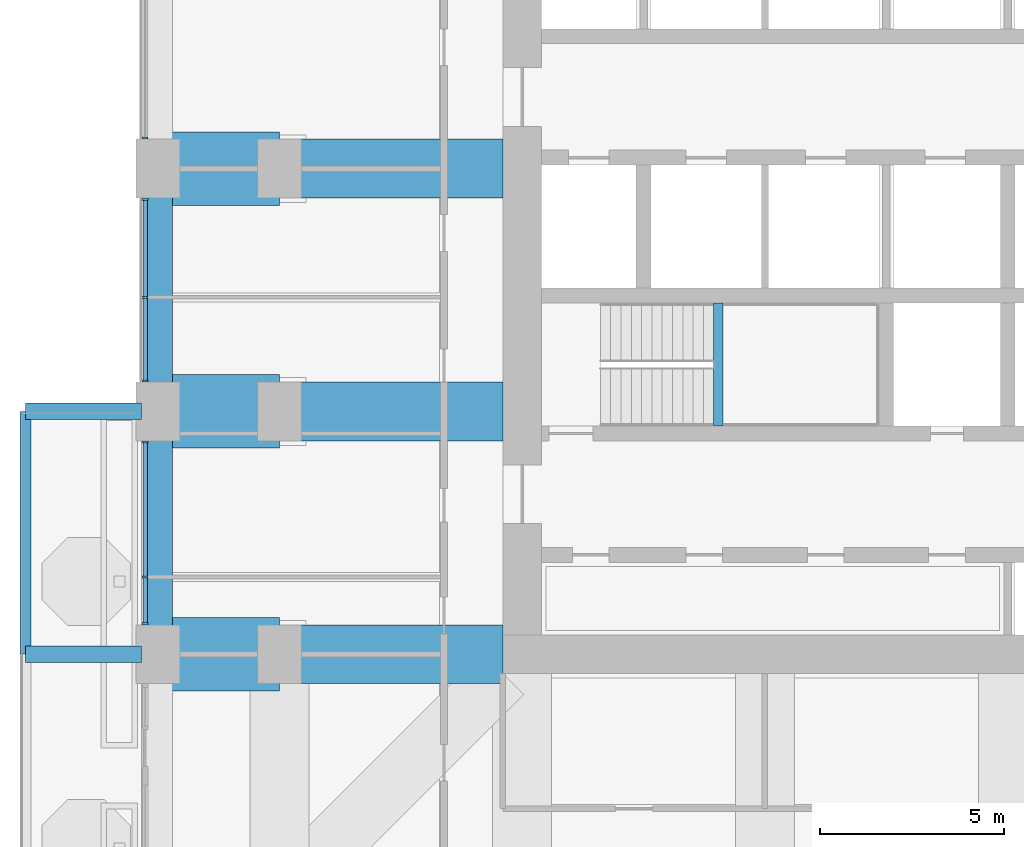
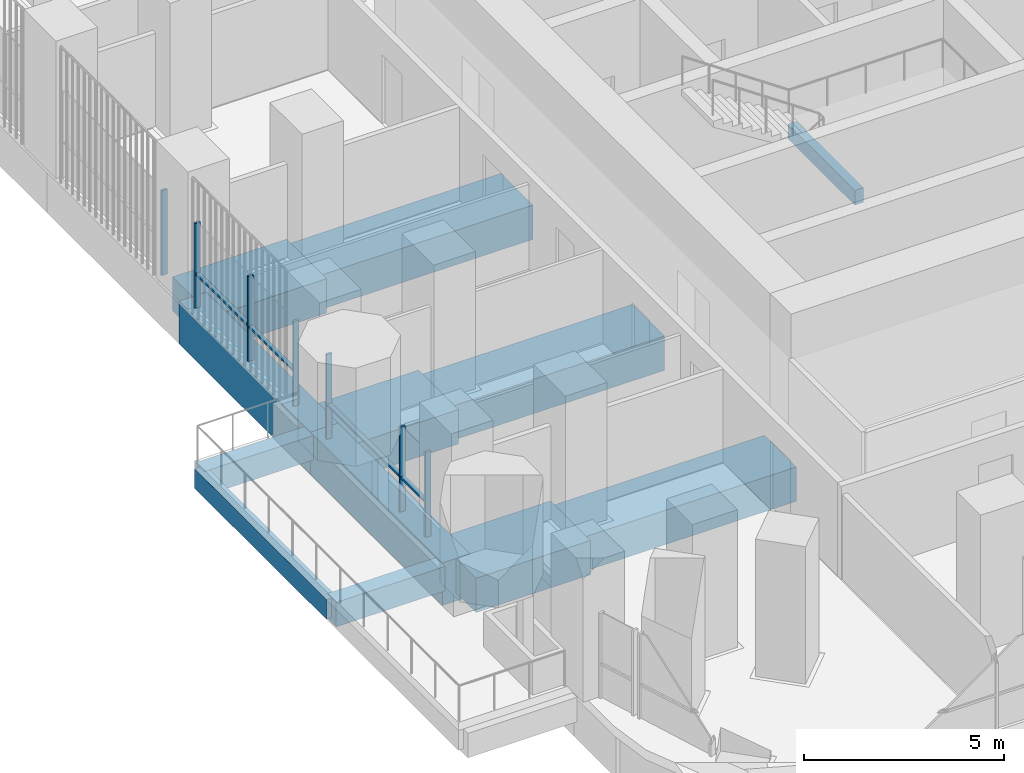
# One storey, part 4 of 21: 12 beams, 11 members, 3 elements without a shape of their own.
"""IFC4 building model written with IfcOpenShell, lengths in metres."""

from ifc_helpers import new_model, si_unit, direction, frame, origin, origin_2d, place, context, subcontext, project, spatial, rectangle, extrude, material, material_profile, profile_set, type_object, element, aggregate, save


model = new_model("IFC4")

# Units and contexts
model_context = context("Model", 3, precision=1e-05, world=origin(), true_north=direction((0.0, 1.0)))
body_context = subcontext(model_context, "Body", "Model", "MODEL_VIEW")
ifc_project = project(units=[si_unit("LENGTHUNIT", "METRE"), si_unit("AREAUNIT", "SQUARE_METRE"), si_unit("VOLUMEUNIT", "CUBIC_METRE"), si_unit("PLANEANGLEUNIT", "RADIAN"), si_unit("MASSUNIT", "GRAM", prefix="KILO")], contexts=[model_context])

# Site, building, storey
site_placement = place(None, origin())
site = spatial("IfcSite", under=ifc_project, at=site_placement, CompositionType="ELEMENT")
building_placement = place(site_placement, origin())
building = spatial("IfcBuilding", under=site, at=building_placement, Name="Cobogo Forest Laboratory Tower", CompositionType="ELEMENT")
storey_placement = place(building_placement, frame((0.0, 0.0, 141.0)))
storey = spatial("IfcBuildingStorey", under=building, at=storey_placement, Name="L32", CompositionType="ELEMENT", Elevation=141.0)

# Beams
ifc_material_1 = material(Name="Concrete HA-40 (C40/50)", Category="concrete")
ifc_material_profile_1 = material_profile(ifc_material_1, rectangle(XDim=0.449951171875, YDim=0.75, at=origin_2d()), Name="RC 450x750")
ifc_profile_set_1 = profile_set([ifc_material_profile_1], Name="Concrete HA-40 (C40/50)")
beam_type_1 = type_object("IfcBeamType", Name="Balcony cantilever beam 450x750", PredefinedType="BEAM", material=ifc_profile_set_1)
for number, where, z_axis, x_axis, name in (
    (1, (2.85009765625, 13.199951171875, -0.625), (-1.0, 0.0, 0.0), (0.0, -1.0, 0.0), "CB1 BAL-W1-C2 L32"),
    (2, (2.85009765625, 19.800048828125, -0.625), (-1.0, 0.0, 0.0), (0.0, -1.0, 0.0), "CB1 BAL-W1-C3 L32"),
):
    element("IfcBeam", number, at=place(storey_placement, frame(where, z_axis=z_axis, x_axis=x_axis)), inside=storey, type_object=beam_type_1, Name=name, PredefinedType="BEAM", context=body_context, shape_type="SweptSolid", body=[
        extrude(rectangle(XDim=0.449951171875, YDim=0.75, at=origin_2d()), origin(), (0.0, 0.0, 1.0), 3.150146484375),
    ])
ifc_material_profile_2 = material_profile(ifc_material_1, rectangle(XDim=0.300048828125, YDim=0.60009765625, at=origin_2d()), Name="RC 300x600")
ifc_profile_set_2 = profile_set([ifc_material_profile_2], Name="Concrete HA-40 (C40/50)")
beam_type_2 = type_object("IfcBeamType", Name="Balcony edge beam 300x600", PredefinedType="BEAM", material=ifc_profile_set_2)
beam_1_placement = place(storey_placement, frame((-0.300048828125, 13.199951171875, -0.550048828125), z_axis=(0.0, 1.0, 0.0), x_axis=(-1.0, 0.0, 0.0)))
element("IfcBeam", 3, at=beam_1_placement, inside=storey, type_object=beam_type_2, Name="BB1 BAL-W1-T2 L32", PredefinedType="BEAM", context=body_context, shape_type="SweptSolid", body=[
    extrude(rectangle(XDim=0.300048828125, YDim=0.60009765625, at=origin_2d()), origin(), (0.0, 0.0, 1.0), 6.60009765625),
])
ifc_material_2 = material(Name="Concrete HA-50 (C50/60)", Category="concrete")
ifc_material_profile_3 = material_profile(ifc_material_2, rectangle(XDim=2.0, YDim=1.050048828125, at=origin_2d()), Name="RC 2000x1050")
ifc_profile_set_3 = profile_set([ifc_material_profile_3], Name="Concrete HA-50 (C50/60)")
beam_type_3 = type_object("IfcBeamType", Name="End-bay wide beam 2000x1050", PredefinedType="BEAM", material=ifc_profile_set_3)
for number, where, z_axis, x_axis, name in (
    (4, (3.300048828125, 13.199951171875, -0.824951171875), (1.0, 0.0, 0.0), (0.0, 1.0, 0.0), "RB7 R-C-W-X L32"),
    (5, (3.300048828125, 19.800048828125, -0.824951171875), (1.0, 0.0, 0.0), (0.0, 1.0, 0.0), "RB7 R-D-W-X L32"),
    (6, (3.300048828125, 26.39990234375, -0.824951171875), (1.0, 0.0, 0.0), (0.0, 1.0, 0.0), "RB7 R-E-W-X L32"),
):
    element("IfcBeam", number, at=place(storey_placement, frame(where, z_axis=z_axis, x_axis=x_axis)), inside=storey, type_object=beam_type_3, Name=name, PredefinedType="BEAM", context=body_context, shape_type="SweptSolid", body=[
        extrude(rectangle(XDim=2.0, YDim=1.050048828125, at=origin_2d()), origin(), (0.0, 0.0, 1.0), 3.300048828125),
    ])
ifc_material_profile_4 = material_profile(ifc_material_1, rectangle(XDim=0.25, YDim=0.449951171875, at=origin_2d()), Name="RC 250x450")
ifc_profile_set_4 = profile_set([ifc_material_profile_4], Name="Concrete HA-40 (C40/50)")
beam_type_4 = type_object("IfcBeamType", Name="LB1 landing beam 250x450", PredefinedType="BEAM", material=ifc_profile_set_4)
beam_2_placement = place(storey_placement, frame((18.530029296875, 19.39990234375, 1.675048828125), z_axis=(0.0, 1.0, 0.0), x_axis=(-1.0, 0.0, 0.0)))
element("IfcBeam", 7, at=beam_2_placement, inside=storey, type_object=beam_type_4, Name="Landing beam ST1 L32", PredefinedType="BEAM", context=body_context, shape_type="SweptSolid", body=[
    extrude(rectangle(XDim=0.25, YDim=0.449951171875, at=origin_2d()), origin(), (0.0, 0.0, 1.0), 3.35009765625),
])
ifc_material_profile_5 = material_profile(ifc_material_2, rectangle(XDim=1.60009765625, YDim=1.050048828125, at=origin_2d()), Name="RC 1600x1050")
ifc_profile_set_5 = profile_set([ifc_material_profile_5], Name="Concrete HA-50 (C50/60)")
beam_type_5 = type_object("IfcBeamType", Name="Laboratory floor wide beam 1600x1050", PredefinedType="BEAM", material=ifc_profile_set_5)
for number, where, z_axis, x_axis, name in (
    (8, (12.675048828125, 13.199951171875, -0.824951171875), (-1.0, 0.0, 0.0), (0.0, -1.0, 0.0), "RB8 R-C-W L32"),
    (9, (12.675048828125, 19.800048828125, -0.824951171875), (-1.0, 0.0, 0.0), (0.0, -1.0, 0.0), "RB8 R-D-W L32"),
    (10, (12.675048828125, 26.39990234375, -0.824951171875), (-1.0, 0.0, 0.0), (0.0, -1.0, 0.0), "RB8 R-E-W L32"),
):
    element("IfcBeam", number, at=place(storey_placement, frame(where, z_axis=z_axis, x_axis=x_axis)), inside=storey, type_object=beam_type_5, Name=name, PredefinedType="BEAM", context=body_context, shape_type="SweptSolid", body=[
        extrude(rectangle(XDim=1.60009765625, YDim=1.050048828125, at=origin_2d()), origin(), (0.0, 0.0, 1.0), 6.074951171875),
    ])

# Curtain wall, member
ifc_material_3 = material(Name="Aluminium curtain wall", Category="aluminium")
curtain_wall_type = type_object("IfcCurtainWallType", Name="CW-1 unitised curtain wall, clear glazing, laboratory floors zones A and B", PredefinedType="USERDEFINED", material=ifc_material_3)
curtain_wall_1_placement = place(storey_placement, origin())
curtain_wall_1 = element("IfcCurtainWall", 11, at=curtain_wall_1_placement, inside=storey, type_object=curtain_wall_type, Name="Curtain wall 28 L32", ObjectType="UNITISED CURTAIN WALL", PredefinedType="USERDEFINED")
ifc_material_4 = material(Name="Aluminium mullion", Category="aluminium")
ifc_material_profile_6 = material_profile(ifc_material_4, rectangle(XDim=0.06005859375, YDim=0.159912109375, at=origin_2d()), Name="AL 60x160")
ifc_profile_set_6 = profile_set([ifc_material_profile_6], Name="Aluminium mullion")
member_type_1 = type_object("IfcMemberType", Name="MU-1 aluminium mullion 60x160", PredefinedType="MULLION", material=ifc_profile_set_6)
member_1_placement = place(storey_placement, frame((2.949951171875, 27.22998046875, 0.0), z_axis=(0.0, 0.0, 1.0), x_axis=(0.0, -1.0, 0.0)))
member_1 = element("IfcMember", 12, at=member_1_placement, type_object=member_type_1, Name="CW-1 mullion 2", PredefinedType="MULLION", context=body_context, shape_type="SweptSolid", body=[
    extrude(rectangle(XDim=0.06005859375, YDim=0.159912109375, at=origin_2d()), origin(), (0.0, 0.0, 1.0), 2.60009765625),
])
aggregate(curtain_wall_1, [member_1])

# Curtain wall, members
curtain_wall_2_placement = place(storey_placement, origin())
curtain_wall_2 = element("IfcCurtainWall", 13, at=curtain_wall_2_placement, inside=storey, type_object=curtain_wall_type, Name="Curtain wall 29 L32", ObjectType="UNITISED CURTAIN WALL", PredefinedType="USERDEFINED")
member_2_placement = place(storey_placement, frame((2.949951171875, 25.570068359375, 0.0), z_axis=(0.0, 0.0, 1.0), x_axis=(0.0, -1.0, 0.0)))
member_2 = element("IfcMember", 14, at=member_2_placement, type_object=member_type_1, Name="CW-1 mullion 1", PredefinedType="MULLION", context=body_context, shape_type="SweptSolid", body=[
    extrude(rectangle(XDim=0.06005859375, YDim=0.159912109375, at=origin_2d()), origin(), (0.0, 0.0, 1.0), 2.60009765625),
])
member_3_placement = place(storey_placement, frame((2.949951171875, 22.89990234375, 0.0), z_axis=(0.0, 0.0, 1.0), x_axis=(0.0, -1.0, 0.0)))
member_3 = element("IfcMember", 15, at=member_3_placement, type_object=member_type_1, Name="CW-1 mullion 2", PredefinedType="MULLION", context=body_context, shape_type="SweptSolid", body=[
    extrude(rectangle(XDim=0.06005859375, YDim=0.159912109375, at=origin_2d()), origin(), (0.0, 0.0, 1.0), 2.60009765625),
])
member_4_placement = place(storey_placement, frame((2.949951171875, 20.6298828125, 0.0), z_axis=(0.0, 0.0, 1.0), x_axis=(0.0, -1.0, 0.0)))
member_4 = element("IfcMember", 16, at=member_4_placement, type_object=member_type_1, Name="CW-1 mullion 3", PredefinedType="MULLION", context=body_context, shape_type="SweptSolid", body=[
    extrude(rectangle(XDim=0.06005859375, YDim=0.159912109375, at=origin_2d()), origin(), (0.0, 0.0, 1.0), 2.60009765625),
])

curtain_wall_3_placement = place(storey_placement, origin())
curtain_wall_3 = element("IfcCurtainWall", 17, at=curtain_wall_3_placement, inside=storey, type_object=curtain_wall_type, Name="Curtain wall 30 L32", ObjectType="UNITISED CURTAIN WALL", PredefinedType="USERDEFINED")
member_5_placement = place(storey_placement, frame((2.949951171875, 18.969970703125, 0.0), z_axis=(0.0, 0.0, 1.0), x_axis=(0.0, -1.0, 0.0)))
member_5 = element("IfcMember", 18, at=member_5_placement, type_object=member_type_1, Name="CW-1 mullion 1", PredefinedType="MULLION", context=body_context, shape_type="SweptSolid", body=[
    extrude(rectangle(XDim=0.06005859375, YDim=0.159912109375, at=origin_2d()), origin(), (0.0, 0.0, 1.0), 2.60009765625),
])
member_6_placement = place(storey_placement, frame((2.949951171875, 15.300048828125, 0.0), z_axis=(0.0, 0.0, 1.0), x_axis=(0.0, -1.0, 0.0)))
member_6 = element("IfcMember", 19, at=member_6_placement, type_object=member_type_1, Name="CW-1 mullion 2", PredefinedType="MULLION", context=body_context, shape_type="SweptSolid", body=[
    extrude(rectangle(XDim=0.06005859375, YDim=0.159912109375, at=origin_2d()), origin(), (0.0, 0.0, 1.0), 2.60009765625),
])
member_7_placement = place(storey_placement, frame((2.949951171875, 14.030029296875, 0.0), z_axis=(0.0, 0.0, 1.0), x_axis=(0.0, -1.0, 0.0)))
member_7 = element("IfcMember", 20, at=member_7_placement, type_object=member_type_1, Name="CW-1 mullion 3", PredefinedType="MULLION", context=body_context, shape_type="SweptSolid", body=[
    extrude(rectangle(XDim=0.06005859375, YDim=0.159912109375, at=origin_2d()), origin(), (0.0, 0.0, 1.0), 2.60009765625),
])

# Beams
ifc_material_profile_7 = material_profile(ifc_material_1, rectangle(XDim=0.800048828125, YDim=1.300048828125, at=origin_2d()), Name="RC 800x1300")
ifc_profile_set_7 = profile_set([ifc_material_profile_7], Name="Concrete HA-40 (C40/50)")
beam_type_6 = type_object("IfcBeamType", Name="Perimeter edge beam 800x1300", PredefinedType="BEAM", material=ifc_profile_set_7)
beam_3_placement = place(storey_placement, frame((3.300048828125, 13.199951171875, -0.949951171875), z_axis=(0.0, 1.0, 0.0), x_axis=(-1.0, 0.0, 0.0)))
element("IfcBeam", 21, at=beam_3_placement, inside=storey, type_object=beam_type_6, Name="EB2 E-W2 L32", PredefinedType="BEAM", context=body_context, shape_type="SweptSolid", body=[
    extrude(rectangle(XDim=0.800048828125, YDim=1.300048828125, at=origin_2d()), origin(), (0.0, 0.0, 1.0), 6.60009765625),
])
beam_4_placement = place(storey_placement, frame((3.300048828125, 19.800048828125, -0.949951171875), z_axis=(0.0, 1.0, 0.0), x_axis=(-1.0, 0.0, 0.0)))
element("IfcBeam", 22, at=beam_4_placement, inside=storey, type_object=beam_type_6, Name="EB2 E-W3 L32", PredefinedType="BEAM", context=body_context, shape_type="SweptSolid", body=[
    extrude(rectangle(XDim=0.800048828125, YDim=1.300048828125, at=origin_2d()), origin(), (0.0, 0.0, 1.0), 6.599853515625),
])

# Member
ifc_material_5 = material(Name="Aluminium transom", Category="aluminium")
ifc_material_profile_8 = material_profile(ifc_material_5, rectangle(XDim=0.1201171875, YDim=0.06005859375, at=origin_2d()), Name="AL 60x120")
ifc_profile_set_8 = profile_set([ifc_material_profile_8], Name="Aluminium transom")
member_type_2 = type_object("IfcMemberType", Name="TR-1 aluminium transom 60x120", PredefinedType="USERDEFINED", material=ifc_profile_set_8)
member_8_placement = place(storey_placement, frame((2.949951171875, 25.5400390625, 1.050048828125), z_axis=(0.0, -1.0, 0.0), x_axis=(1.0, 0.0, 0.0)))
member_8 = element("IfcMember", 23, at=member_8_placement, type_object=member_type_2, Name="CW-1 transom 1.1", ObjectType="TRANSOM", PredefinedType="USERDEFINED", context=body_context, shape_type="SweptSolid", body=[
    extrude(rectangle(XDim=0.1201171875, YDim=0.06005859375, at=origin_2d()), origin(), (0.0, 0.0, 1.0), 2.610107421875),
])

member_9_placement = place(storey_placement, frame((2.949951171875, 22.8701171875, 1.050048828125), z_axis=(0.0, -1.0, 0.0), x_axis=(1.0, 0.0, 0.0)))
member_9 = element("IfcMember", 24, at=member_9_placement, type_object=member_type_2, Name="CW-1 transom 2.1", ObjectType="TRANSOM", PredefinedType="USERDEFINED", context=body_context, shape_type="SweptSolid", body=[
    extrude(rectangle(XDim=0.1201171875, YDim=0.06005859375, at=origin_2d()), origin(), (0.0, 0.0, 1.0), 2.210205078125),
])

aggregate(curtain_wall_2, [member_2, member_3, member_4, member_8, member_9])

member_10_placement = place(storey_placement, frame((2.949951171875, 18.93994140625, 1.050048828125), z_axis=(0.0, -1.0, 0.0), x_axis=(1.0, 0.0, 0.0)))
member_10 = element("IfcMember", 25, at=member_10_placement, type_object=member_type_2, Name="CW-1 transom 1.1", ObjectType="TRANSOM", PredefinedType="USERDEFINED", context=body_context, shape_type="SweptSolid", body=[
    extrude(rectangle(XDim=0.1201171875, YDim=0.06005859375, at=origin_2d()), origin(), (0.0, 0.0, 1.0), 3.60986328125),
])

member_11_placement = place(storey_placement, frame((2.949951171875, 15.27001953125, 1.050048828125), z_axis=(0.0, -1.0, 0.0), x_axis=(1.0, 0.0, 0.0)))
member_11 = element("IfcMember", 26, at=member_11_placement, type_object=member_type_2, Name="CW-1 transom 2.1", ObjectType="TRANSOM", PredefinedType="USERDEFINED", context=body_context, shape_type="SweptSolid", body=[
    extrude(rectangle(XDim=0.1201171875, YDim=0.06005859375, at=origin_2d()), origin(), (0.0, 0.0, 1.0), 1.2099609375),
])

aggregate(curtain_wall_3, [member_5, member_6, member_7, member_10, member_11])

save(model, "model.ifc")
